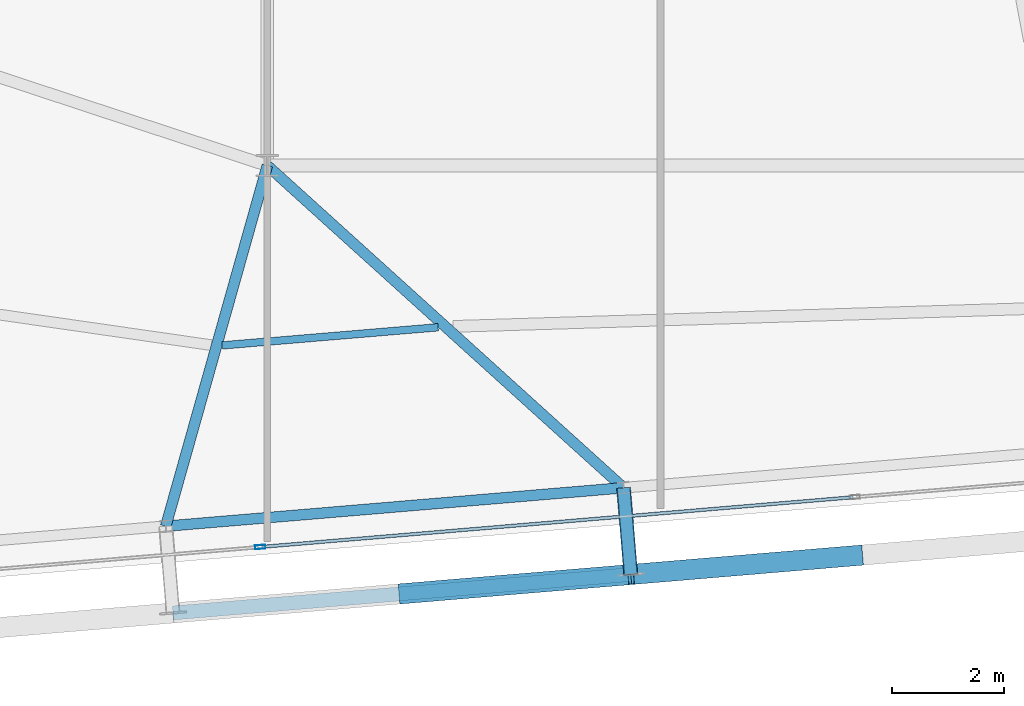
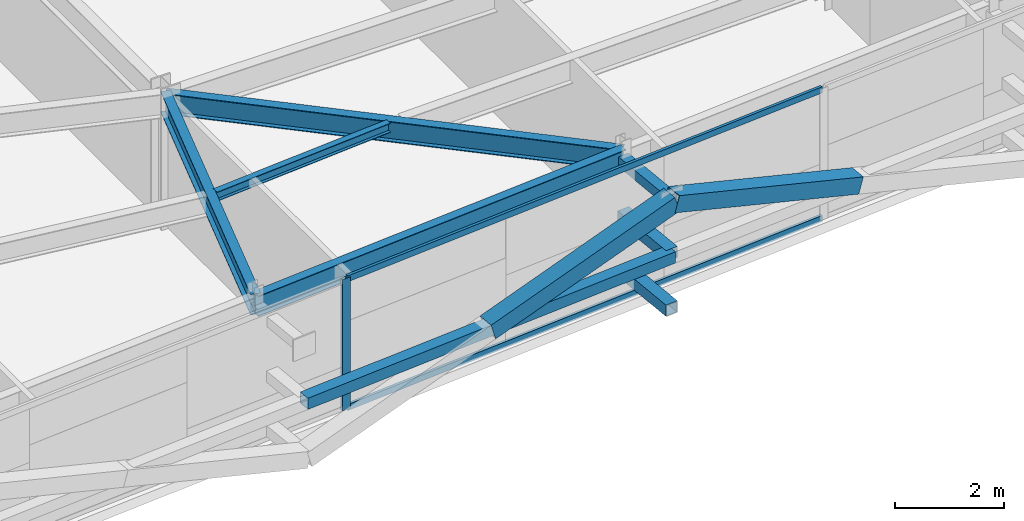
# One storey, part 9 of 37: 9 members, 4 beams, 1 element without a shape of its own.
"""IFC4 building model written with IfcOpenShell, lengths in metres."""

import ifcopenshell
import ifcopenshell.guid

model = None  # the IFC model being written
_history = None  # IfcOwnerHistory: only IFC2X3 demands one
_inside = {}  # id of a spatial element -> (the spatial element, [elements in it])
_under = {}  # id of a project, library or spatial element -> (it, [spatial elements below it])
_declared = {}  # id of a project -> (the project, [libraries it declares])
_typed = {}  # id of a type object -> (the type object, [elements of that type])
_made_of = {}  # id of a material, layer set ... -> (it, [elements and type objects made of it])


def new_model(schema):
    """Start an empty IFC model of exactly this schema.

    Asked for "IFC4X3", IfcOpenShell would pick the latest addendum, in which some entities
    have other attributes; the version numbers below select the first issue.
    IFC2X3 requires an IfcOwnerHistory on every rooted entity: one is made here for all.
    """
    global model, _history
    if schema == "IFC4X3":
        model = ifcopenshell.file(schema_version=(4, 3, 0, 0))
    else:
        model = ifcopenshell.file(schema=schema)
    _inside.clear()
    _under.clear()
    _declared.clear()
    _typed.clear()
    _made_of.clear()
    _history = None
    if model.schema == "IFC2X3":
        org = make("IfcOrganization", Name="unknown")
        user = make(
            "IfcPersonAndOrganization",
            ThePerson=make("IfcPerson", FamilyName="unknown"),
            TheOrganization=org,
        )
        app = make(
            "IfcApplication",
            ApplicationDeveloper=org,
            Version="unknown",
            ApplicationFullName="unknown",
            ApplicationIdentifier="unknown",
        )
        _history = make(
            "IfcOwnerHistory",
            OwningUser=user,
            OwningApplication=app,
            ChangeAction="ADDED",
            CreationDate=0,
        )
    return model


def make(cls, **values):
    """One entity of the class cls with the attributes given. An attribute that is None is left unset."""
    return model.create_entity(
        cls, **{name: value for name, value in values.items() if value is not None}
    )


def rooted(cls, **values):
    """An entity with a GlobalId (a new one), such as an element, a storey or a relation."""
    return make(cls, GlobalId=ifcopenshell.guid.new(), OwnerHistory=_history, **values)


def si_unit(unit_type, name, prefix=None):
    """IfcSIUnit, for example si_unit("LENGTHUNIT", "METRE", prefix="MILLI")."""
    return make("IfcSIUnit", UnitType=unit_type, Prefix=prefix, Name=name)


def assignment(units):
    """IfcUnitAssignment: the units of a project."""
    return None if units is None else make("IfcUnitAssignment", Units=units)


def point(xyz):
    """IfcCartesianPoint."""
    return None if xyz is None else make("IfcCartesianPoint", Coordinates=xyz)


def direction(xyz):
    """IfcDirection."""
    return None if xyz is None else make("IfcDirection", DirectionRatios=xyz)


def frame(location, z_axis=None, x_axis=None):
    """IfcAxis2Placement3D, a coordinate frame: its origin and axes. An axis left out is left unset."""
    return make(
        "IfcAxis2Placement3D",
        Location=point(location),
        Axis=direction(z_axis),
        RefDirection=direction(x_axis),
    )


def frame_2d(location, x_axis=None):
    """IfcAxis2Placement2D, a coordinate frame in the plane: its origin and x axis."""
    return make(
        "IfcAxis2Placement2D", Location=point(location), RefDirection=direction(x_axis)
    )


def origin():
    """The frame at (0, 0, 0) with its axes left unset."""
    return frame((0.0, 0.0, 0.0))


def origin_2d():
    """The frame at (0, 0) in the plane with its x axis left unset."""
    return frame_2d((0.0, 0.0))


def place(relative_to, where):
    """IfcLocalPlacement: puts the frame where relative to a parent placement (None: the world)."""
    return make(
        "IfcLocalPlacement", PlacementRelTo=relative_to, RelativePlacement=where
    )


def context(
    kind, dimensions, precision=None, world=None, true_north=None, identifier=None
):
    """IfcGeometricRepresentationContext, for example the 3D "Model" context."""
    return make(
        "IfcGeometricRepresentationContext",
        ContextIdentifier=identifier,
        ContextType=kind,
        CoordinateSpaceDimension=dimensions,
        Precision=precision,
        WorldCoordinateSystem=world,
        TrueNorth=true_north,
    )


def subcontext(parent, identifier, kind, view, scale=None):
    """IfcGeometricRepresentationSubContext, for example "Body" below "Model"."""
    return make(
        "IfcGeometricRepresentationSubContext",
        ContextIdentifier=identifier,
        ContextType=kind,
        ParentContext=parent,
        TargetScale=scale,
        TargetView=view,
    )


def project(units=None, contexts=None):
    """IfcProject with its units and contexts."""
    return rooted(
        "IfcProject",
        Name="project",
        RepresentationContexts=contexts,
        UnitsInContext=assignment(units),
    )


def spatial(cls, under=None, at=None, **own):
    """A site, building, storey or space (cls), placed at a placement, below another one or the project."""
    s = rooted(cls, ObjectPlacement=at, **own)
    if under is not None:
        _under.setdefault(under.id(), (under, []))[1].append(s)
    return s


def profile(cls, at=None, kind="AREA", **sizes):
    """A parametric profile (cls). Its sizes go by their IFC names, for example OverallWidth=200.0."""
    return make(cls, ProfileType=kind, Position=at, **sizes)


def hollow_rectangle(**sizes):
    """IfcRectangleHollowProfileDef."""
    return profile("IfcRectangleHollowProfileDef", **sizes)


def i_section(**sizes):
    """IfcIShapeProfileDef."""
    return profile("IfcIShapeProfileDef", **sizes)


def extrude(swept, where, along, depth):
    """IfcExtrudedAreaSolid: the profile swept, set in the frame where, extruded along a direction by depth."""
    return make(
        "IfcExtrudedAreaSolid",
        SweptArea=swept,
        Position=where,
        ExtrudedDirection=direction(along),
        Depth=depth,
    )


def shape(context_of_items, identifier, shape_type, items):
    """IfcShapeRepresentation: the items that make up one representation, for example the "Body"."""
    return make(
        "IfcShapeRepresentation",
        ContextOfItems=context_of_items,
        RepresentationIdentifier=identifier,
        RepresentationType=shape_type,
        Items=items,
    )


def source(mapping_origin, context_of_items, identifier, shape_type, items):
    """IfcRepresentationMap: a shape defined once, which mapped items show again and again."""
    return make(
        "IfcRepresentationMap",
        MappingOrigin=mapping_origin,
        MappedRepresentation=shape(context_of_items, identifier, shape_type, items),
    )


def transform(
    local_origin,
    x_axis=None,
    y_axis=None,
    z_axis=None,
    scale=None,
    scale2=None,
    scale3=None,
    uniform=True,
):
    """IfcCartesianTransformationOperator3D, or its non-uniform kind. x_axis, y_axis, z_axis: its Axis1, 2, 3."""
    if uniform:
        return make(
            "IfcCartesianTransformationOperator3D",
            Axis1=direction(x_axis),
            Axis2=direction(y_axis),
            LocalOrigin=point(local_origin),
            Scale=scale,
            Axis3=direction(z_axis),
        )
    return make(
        "IfcCartesianTransformationOperator3DnonUniform",
        Axis1=direction(x_axis),
        Axis2=direction(y_axis),
        LocalOrigin=point(local_origin),
        Scale=scale,
        Axis3=direction(z_axis),
        Scale2=scale2,
        Scale3=scale3,
    )


def mapped(mapping_source, mapping_target):
    """IfcMappedItem: shows the shape of a source again, moved by a transform."""
    return make(
        "IfcMappedItem", MappingSource=mapping_source, MappingTarget=mapping_target
    )


def material(Name=None, Category=None):
    """IfcMaterial."""
    return make("IfcMaterial", Name=Name, Category=Category)


def layer(
    of_material, thickness, ventilated=None, Name=None, Category=None, Priority=None
):
    """IfcMaterialLayer: one layer of a wall or slab, of a material (None: an air gap)."""
    return make(
        "IfcMaterialLayer",
        Material=of_material,
        LayerThickness=thickness,
        IsVentilated=ventilated,
        Name=Name,
        Category=Category,
        Priority=Priority,
    )


def layer_set(layers, Name=None):
    """IfcMaterialLayerSet."""
    return make("IfcMaterialLayerSet", MaterialLayers=layers, LayerSetName=Name)


def material_profile(
    of_material, cross_section, Name=None, Category=None, Priority=None
):
    """IfcMaterialProfile: a cross section and its material."""
    return make(
        "IfcMaterialProfile",
        Name=Name,
        Material=of_material,
        Profile=cross_section,
        Priority=Priority,
        Category=Category,
    )


def profile_set(profiles, Name=None, composite=None):
    """IfcMaterialProfileSet."""
    return make(
        "IfcMaterialProfileSet",
        Name=Name,
        MaterialProfiles=profiles,
        CompositeProfile=composite,
    )


def made_of(thing, what):
    """Note that an element or type object is made of a material, layer set ...; save() writes the relation."""
    if what is not None:
        _made_of.setdefault(what.id(), (what, []))[1].append(thing)
    return thing


def type_object(cls, material=None, **own):
    """A type object (cls), such as IfcWallType, which elements share."""
    return made_of(rooted(cls, **own), material)


def element(
    cls,
    number,
    at=None,
    inside=None,
    cuts=None,
    type_object=None,
    material=None,
    context=None,
    identifier="Body",
    shape_type=None,
    held_by="IfcProductDefinitionShape",
    body=None,
    shapes=None,
    **own,
):
    """One element of the class cls, such as IfcWall. Its Tag is "e" and its number.

    at: its placement. inside: the storey or other place that contains it. cuts: it is an
    opening in that element (IfcRelVoidsElement). A single representation is given by context,
    identifier, shape_type and body (its items); several are given by shapes. held_by: the class
    of the entity that holds the representations. save() writes the other relations.
    """
    e = rooted(cls, Tag="e%d" % number, ObjectPlacement=at, **own)
    if body is not None:
        shapes = [shape(context, identifier, shape_type, body)]
    if shapes is not None:
        e.Representation = make(held_by, Representations=shapes)
    if inside is not None:
        _inside.setdefault(inside.id(), (inside, []))[1].append(e)
    if cuts is not None:
        rooted(
            "IfcRelVoidsElement", RelatingBuildingElement=cuts, RelatedOpeningElement=e
        )
    if type_object is not None:
        _typed.setdefault(type_object.id(), (type_object, []))[1].append(e)
    return made_of(e, material)


def aggregate(whole, parts):
    """IfcRelAggregates: a whole, such as a stair, and the parts it consists of."""
    return rooted("IfcRelAggregates", RelatingObject=whole, RelatedObjects=parts)


def save(model, path):
    """Write the relations noted so far, then the file.

    IfcRelAggregates (storeys below a building ...), IfcRelContainedInSpatialStructure (elements
    in a storey), IfcRelDefinesByType, IfcRelAssociatesMaterial and IfcRelDeclares: one each for
    every whole, place, type object, material and project.
    """
    for whole, parts in _under.values():
        aggregate(whole, parts)
    for where, things in _inside.values():
        rooted(
            "IfcRelContainedInSpatialStructure",
            RelatedElements=things,
            RelatingStructure=where,
        )
    for kind, things in _typed.values():
        rooted("IfcRelDefinesByType", RelatedObjects=things, RelatingType=kind)
    for what, things in _made_of.values():
        rooted("IfcRelAssociatesMaterial", RelatedObjects=things, RelatingMaterial=what)
    for by, libraries in _declared.values():
        rooted("IfcRelDeclares", RelatingContext=by, RelatedDefinitions=libraries)
    model.write(path)


model = new_model("IFC4")

# Units and contexts
model_context = context("Model", 3, precision=1e-05, world=origin(), true_north=direction((0.0, 1.0)))
body_context = subcontext(model_context, "Body", "Model", "MODEL_VIEW")
ifc_project = project(units=[si_unit("LENGTHUNIT", "METRE"), si_unit("AREAUNIT", "SQUARE_METRE"), si_unit("VOLUMEUNIT", "CUBIC_METRE"), si_unit("PLANEANGLEUNIT", "RADIAN"), si_unit("MASSUNIT", "GRAM", prefix="KILO")], contexts=[model_context])

# Site, building, storey
site_placement = place(None, origin())
site = spatial("IfcSite", under=ifc_project, at=site_placement, CompositionType="ELEMENT")
building_placement = place(site_placement, origin())
building = spatial("IfcBuilding", under=site, at=building_placement, Name="Taldren Reach Tower", CompositionType="ELEMENT")
storey_placement = place(building_placement, frame((0.0, 0.0, 182.0)))
storey = spatial("IfcBuildingStorey", under=building, at=storey_placement, Name="L55", CompositionType="ELEMENT", Elevation=182.0)

# Members
ifc_material_1 = material(Name="Steel Gr 350 (C350L0)", Category="steel")
ifc_material_profile_1 = material_profile(ifc_material_1, hollow_rectangle(XDim=0.25, YDim=0.25, WallThickness=0.010009765625, at=origin_2d()), Name="250x250x10.0SHS")
ifc_profile_set_1 = profile_set([ifc_material_profile_1], Name="Steel Gr 350 (C350L0)")
member_type_1 = type_object("IfcMemberType", Name="MB-POST250", PredefinedType="POST", material=ifc_profile_set_1)
shared_shape_1 = source(origin(), body_context, "Body", "SweptSolid", [
    extrude(hollow_rectangle(XDim=0.25, YDim=0.25, WallThickness=0.010009765625, at=origin_2d()), origin(), (0.0, 0.0, 1.0), 1.5498046875),
])
for number, where, z_axis, x_axis, name in (
    (1, (34.34228515625, 3.462890625, 0.219970703125), (0.083645141657, -0.996495604746, 0.0), (0.996495604746, 0.083645141657, 0.0), "Exoskeleton base diaphragm tie strut B4-S3 L55"),
    (2, (34.34228515625, 3.462890625, 1.43505859375), (0.083645141657, -0.996495604746, 0.0), (0.996495604746, 0.083645141657, 0.0), "Exoskeleton mid-tier diaphragm tie B4-S3 L55"),
):
    element("IfcMember", number, at=place(storey_placement, frame(where, z_axis=z_axis, x_axis=x_axis)), inside=storey, type_object=member_type_1, Name=name, PredefinedType="POST", context=body_context, shape_type="MappedRepresentation", body=[
        mapped(shared_shape_1, transform((0.0, 0.0, 0.0), scale=1.0)),
    ])

# Beams
ifc_material_2 = material(Name="Steel Gr 350 (350PLUS)", Category="steel")
ifc_material_profile_2 = material_profile(ifc_material_2, i_section(OverallWidth=0.18994140625, OverallDepth=0.4541015625, WebThickness=0.008544921875, FlangeThickness=0.0126953125, at=origin_2d()), Name="460UB67.1")
ifc_profile_set_2 = profile_set([ifc_material_profile_2], Name="Steel Gr 350 (350PLUS)")
beam_type_1 = type_object("IfcBeamType", Name="SP-UB460B", PredefinedType="SPANDREL", material=ifc_profile_set_2)
shared_shape_2 = source(origin(), body_context, "Body", "SweptSolid", [
    extrude(i_section(OverallWidth=0.18994140625, OverallDepth=0.4541015625, WebThickness=0.008544921875, FlangeThickness=0.0126953125, at=origin_2d()), origin(), (0.0, 0.0, 1.0), 8.179931640625),
])
beam_1_placement = place(storey_placement, frame((26.19091796875, 2.778564453125, 2.702880859375), z_axis=(0.996494523218, 0.083658025296, 0.0), x_axis=(-0.083658025296, 0.996494523218, 0.0)))
element("IfcBeam", 3, at=beam_1_placement, inside=storey, type_object=beam_type_1, Name="Perimeter spandrel B4 S2-S3 L55", PredefinedType="SPANDREL", context=body_context, shape_type="MappedRepresentation", body=[
    mapped(shared_shape_2, transform((0.0, 0.0, 0.0), scale=1.0)),
])
ifc_material_profile_3 = material_profile(ifc_material_2, i_section(OverallWidth=0.19091796875, OverallDepth=0.4599609375, WebThickness=0.010009765625, FlangeThickness=0.01611328125, at=origin_2d()), Name="460UB82.1")
ifc_profile_set_3 = profile_set([ifc_material_profile_3], Name="Steel Gr 350 (350PLUS)")
beam_type_2 = type_object("IfcBeamType", Name="BM-UB460A", PredefinedType="BEAM", material=ifc_profile_set_3)
shared_shape_3 = source(origin(), body_context, "Body", "SweptSolid", [
    extrude(i_section(OverallWidth=0.19091796875, OverallDepth=0.4599609375, WebThickness=0.010009765625, FlangeThickness=0.01611328125, at=origin_2d()), origin(), (0.0, 0.0, 1.0), 6.67138671875),
])
beam_2_placement = place(storey_placement, frame((28.0, 9.199951171875, 2.699951171875), z_axis=(-0.271171579948, -0.962531025073, 0.0), x_axis=(0.962531025073, -0.271171579948, 0.0)))
element("IfcBeam", 4, at=beam_2_placement, inside=storey, type_object=beam_type_2, Name="Primary floor girder B4-S2 L55", PredefinedType="BEAM", context=body_context, shape_type="MappedRepresentation", body=[
    mapped(shared_shape_3, transform((0.0, 0.0, 0.0), scale=1.0)),
])
shared_shape_4 = source(origin(), body_context, "Body", "SweptSolid", [
    extrude(i_section(OverallWidth=0.19091796875, OverallDepth=0.4599609375, WebThickness=0.010009765625, FlangeThickness=0.01611328125, at=origin_2d()), origin(), (0.0, 0.0, 1.0), 8.552001953125),
])
beam_3_placement = place(storey_placement, frame((28.0, 9.199951171875, 2.699951171875), z_axis=(0.741605435155, -0.670836327689, 0.0), x_axis=(0.670836327689, 0.741605435155, 0.0)))
element("IfcBeam", 5, at=beam_3_placement, inside=storey, type_object=beam_type_2, Name="Primary floor girder B4-S3 L55", PredefinedType="BEAM", context=body_context, shape_type="MappedRepresentation", body=[
    mapped(shared_shape_4, transform((0.0, 0.0, 0.0), scale=1.0)),
])
ifc_material_3 = material(Name="Steel Gr 300 (300PLUS, 300 MPa)", Category="steel")
ifc_material_profile_4 = material_profile(ifc_material_3, i_section(OverallWidth=0.134033203125, OverallDepth=0.20703125, WebThickness=0.00634765625, FlangeThickness=0.009521484375, at=origin_2d()), Name="200UB29.8")
ifc_profile_set_4 = profile_set([ifc_material_profile_4], Name="Steel Gr 300 (300PLUS, 300 MPa)")
beam_type_3 = type_object("IfcBeamType", Name="JS-UB200", PredefinedType="JOIST", material=ifc_profile_set_4)
shared_shape_5 = source(origin(), body_context, "Body", "SweptSolid", [
    extrude(i_section(OverallWidth=0.134033203125, OverallDepth=0.20703125, WebThickness=0.00634765625, FlangeThickness=0.009521484375, at=origin_2d()), origin(), (0.0, 0.0, 1.0), 3.857177734375),
])
beam_4_placement = place(storey_placement, frame((27.197021484375, 5.997802734375, 2.826416015625), z_axis=(0.996493179166, 0.083674033464, 0.0), x_axis=(-0.083674033464, 0.996493179166, 0.0)))
element("IfcBeam", 6, at=beam_4_placement, inside=storey, type_object=beam_type_3, Name="Secondary floor joist B4 J2 L55", PredefinedType="JOIST", context=body_context, shape_type="MappedRepresentation", body=[
    mapped(shared_shape_5, transform((0.0, 0.0, 0.0), scale=1.0)),
])

# Members
ifc_material_4 = material(Name="Steel Gr 450 (C450L0)", Category="steel")
ifc_material_profile_5 = material_profile(ifc_material_4, hollow_rectangle(XDim=0.219970703125, YDim=0.219970703125, WallThickness=0.00830078125, at=origin_2d()), Name="220x220x8.2SHS")
ifc_profile_set_5 = profile_set([ifc_material_profile_5], Name="Steel Gr 450 (C450L0)")
member_type_2 = type_object("IfcMemberType", Name="MB-TIE219", PredefinedType="STRUT", material=ifc_profile_set_5)
shared_shape_6 = source(origin(), body_context, "Body", "SweptSolid", [
    extrude(hollow_rectangle(XDim=0.219970703125, YDim=0.219970703125, WallThickness=0.00830078125, at=origin_2d()), origin(), (0.0, 0.0, 1.0), 1.5498046875),
])
member_1_placement = place(storey_placement, frame((34.34228515625, 3.462890625, 2.64990234375), z_axis=(0.083645141657, -0.996495604746, 0.0), x_axis=(0.996495604746, 0.083645141657, 0.0)))
element("IfcMember", 7, at=member_1_placement, inside=storey, type_object=member_type_2, Name="Exoskeleton diaphragm tie strut B4-S3 L55", PredefinedType="STRUT", context=body_context, shape_type="MappedRepresentation", body=[
    mapped(shared_shape_6, transform((0.0, 0.0, 0.0), scale=1.0)),
])
shared_shape_7 = source(origin(), body_context, "Body", "SweptSolid", [
    extrude(hollow_rectangle(XDim=0.25, YDim=0.25, WallThickness=0.010009765625, at=origin_2d()), origin(), (0.0, 0.0, 1.0), 8.18017578125),
])
member_2_placement = place(storey_placement, frame((26.320556640625, 1.23388671875, 1.43505859375), z_axis=(0.996492034688, 0.083687662192, 0.0), x_axis=(-0.083687662192, 0.996492034688, 0.0)))
element("IfcMember", 8, at=member_2_placement, inside=storey, type_object=member_type_1, Name="Exoskeleton mid-height ring chord B4-S2 L55", PredefinedType="POST", context=body_context, shape_type="MappedRepresentation", body=[
    mapped(shared_shape_7, transform((0.0, 0.0, 0.0), scale=1.0)),
])
ifc_material_profile_6 = material_profile(ifc_material_4, hollow_rectangle(XDim=0.360107421875, YDim=0.360107421875, WallThickness=0.0126953125, at=origin_2d()), Name="360x360x12.7SHS")
ifc_profile_set_6 = profile_set([ifc_material_profile_6], Name="Steel Gr 450 (C450L0)")
member_type_3 = type_object("IfcMemberType", Name="MB-EXO356", PredefinedType="BRACE", material=ifc_profile_set_6)
shared_shape_8 = source(origin(), body_context, "Body", "SweptSolid", [
    extrude(hollow_rectangle(XDim=0.360107421875, YDim=0.360107421875, WallThickness=0.0126953125, at=origin_2d()), origin(), (0.0, 0.0, 1.0), 4.2666015625),
])
for number, where, z_axis, x_axis, name in (
    (9, (30.396240234375, 1.576171875, 1.43505859375), (0.955244723646, 0.080223619417, 0.284730906006), (-0.083687662192, 0.996492034688, 0.0), "Exoskeleton Diagrid Brace B4-S2 L55"),
    (10, (38.547607421875, 2.2607421875, 1.43505859375), (-0.955244723646, -0.080223619417, 0.284730906006), (0.083687662192, -0.996492034688, 0.0), "Exoskeleton Diagrid Brace B4-S3 L55"),
):
    element("IfcMember", number, at=place(storey_placement, frame(where, z_axis=z_axis, x_axis=x_axis)), inside=storey, type_object=member_type_3, Name=name, PredefinedType="BRACE", context=body_context, shape_type="MappedRepresentation", body=[
        mapped(shared_shape_8, transform((0.0, 0.0, 0.0), scale=1.0)),
    ])

# Curtain wall, members
ifc_material_5 = material(Name="Aluminium and Low-E Glass Unitised System", Category="aluminium")
ifc_layer = layer(ifc_material_5, 0.159912109375)
ifc_layer_set = layer_set([ifc_layer], Name="Aluminium and Low-E Glass Unitised System")
curtain_wall_type = type_object("IfcCurtainWallType", Name="CW-SYS-5", PredefinedType="NOTDEFINED", material=ifc_layer_set)
curtain_wall_placement = place(storey_placement, origin())
curtain_wall = element("IfcCurtainWall", 11, at=curtain_wall_placement, inside=storey, type_object=curtain_wall_type, Name="Unitised curtain wall CW-L55-S", PredefinedType="NOTDEFINED")
ifc_material_6 = material(Name="Anodised Aluminium 6063-T6", Category="aluminium")
ifc_material_profile_7 = material_profile(ifc_material_6, hollow_rectangle(XDim=0.070068359375, YDim=0.179931640625, WallThickness=0.00390625, at=origin_2d()), Name="ALU-180x70x4RHS")
ifc_profile_set_7 = profile_set([ifc_material_profile_7], Name="Anodised Aluminium 6063-T6")
member_type_4 = type_object("IfcMemberType", Name="CW-MUL-180", PredefinedType="MULLION", material=ifc_profile_set_7)
shared_shape_9 = source(origin(), body_context, "Body", "SweptSolid", [
    extrude(hollow_rectangle(XDim=0.070068359375, YDim=0.179931640625, WallThickness=0.00390625, at=origin_2d()), origin(), (0.0, 0.0, 1.0), 2.929931640625),
])
member_3_placement = place(storey_placement, frame((27.872802734375, 2.407958984375, 0.0), z_axis=(0.0, 0.0, 1.0), x_axis=(-0.083677894865, 0.996492854922, 0.0)))
member_3 = element("IfcMember", 12, at=member_3_placement, type_object=member_type_4, Name="CW-5 mullion 2", PredefinedType="MULLION", context=body_context, shape_type="MappedRepresentation", body=[
    mapped(shared_shape_9, transform((0.0, 0.0, 0.0), scale=1.0)),
])
ifc_material_profile_8 = material_profile(ifc_material_6, hollow_rectangle(XDim=0.06005859375, YDim=0.135009765625, WallThickness=0.00341796875, at=origin_2d()), Name="ALU-135x60x3.5RHS")
ifc_profile_set_8 = profile_set([ifc_material_profile_8], Name="Anodised Aluminium 6063-T6")
member_type_5 = type_object("IfcMemberType", Name="CW-TRN-150", PredefinedType="USERDEFINED", material=ifc_profile_set_8)
shared_shape_10 = source(origin(), body_context, "Body", "SweptSolid", [
    extrude(hollow_rectangle(XDim=0.06005859375, YDim=0.135009765625, WallThickness=0.00341796875, at=origin_2d()), origin(), (0.0, 0.0, 1.0), 10.55517578125),
])
member_4_placement = place(storey_placement, frame((27.90771484375, 2.410888671875, 0.030029296875), z_axis=(0.996492274094, 0.083684811468, 0.0), x_axis=(-0.083684811468, 0.996492274094, 0.0)))
member_4 = element("IfcMember", 13, at=member_4_placement, type_object=member_type_5, Name="CW-5 transom 2.1", ObjectType="TRANSOM", PredefinedType="USERDEFINED", context=body_context, shape_type="MappedRepresentation", body=[
    mapped(shared_shape_10, transform((0.0, 0.0, 0.0), scale=1.0)),
])
member_5_placement = place(storey_placement, frame((27.90771484375, 2.410888671875, 2.89990234375), z_axis=(0.996492274094, 0.083684811468, 0.0), x_axis=(-0.083684811468, 0.996492274094, 0.0)))
member_5 = element("IfcMember", 14, at=member_5_placement, type_object=member_type_5, Name="CW-5 transom 2.2", ObjectType="TRANSOM", PredefinedType="USERDEFINED", context=body_context, shape_type="MappedRepresentation", body=[
    mapped(shared_shape_10, transform((0.0, 0.0, 0.0), scale=1.0)),
])
aggregate(curtain_wall, [member_3, member_4, member_5])

save(model, "model.ifc")
